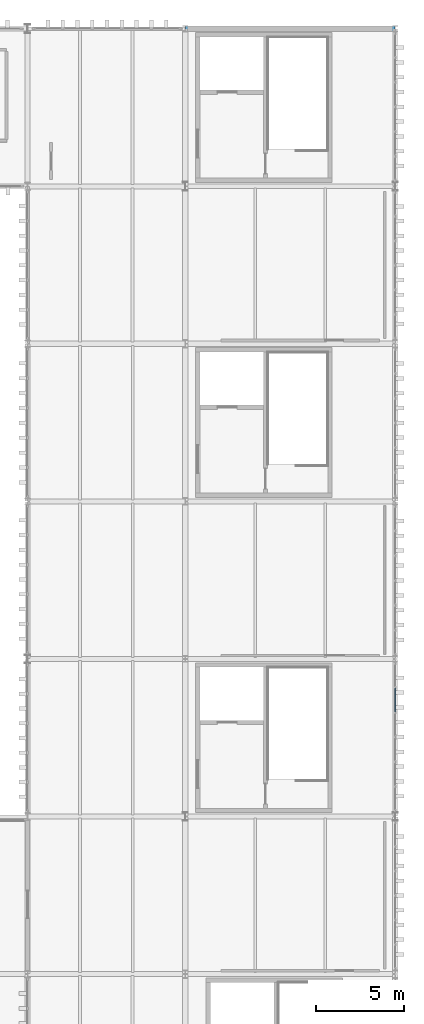
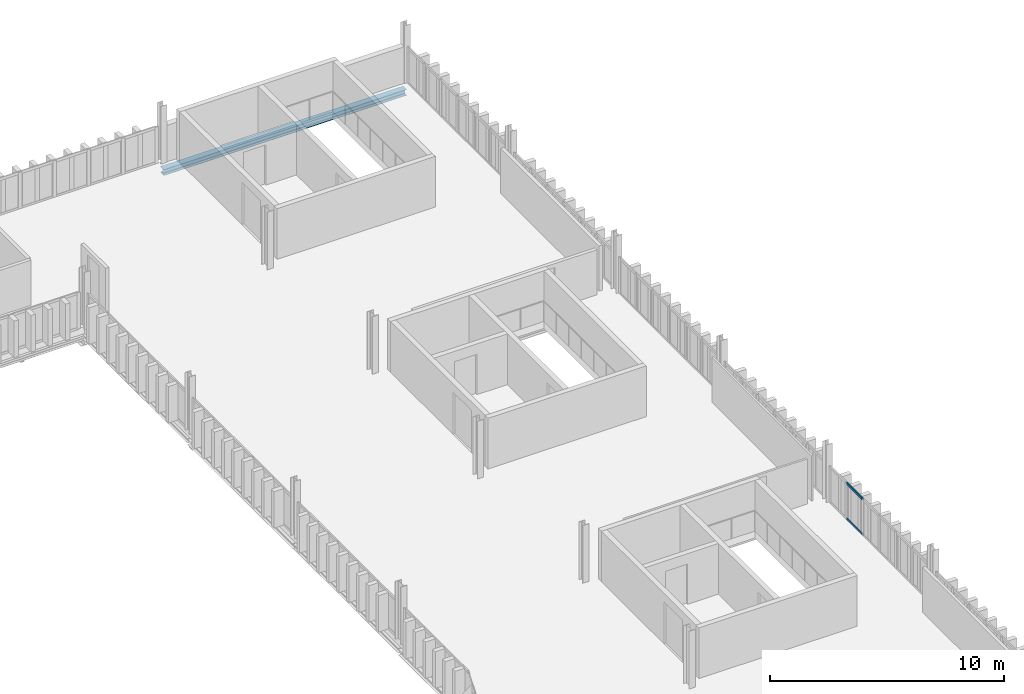
# One storey, part 43 of 58: 2 members, 1 beam, 1 element without a shape of its own.
"""IFC4 building model written with IfcOpenShell, lengths in metres."""

import ifcopenshell
import ifcopenshell.guid

model = None  # the IFC model being written
_history = None  # IfcOwnerHistory: only IFC2X3 demands one
_inside = {}  # id of a spatial element -> (the spatial element, [elements in it])
_under = {}  # id of a project, library or spatial element -> (it, [spatial elements below it])
_declared = {}  # id of a project -> (the project, [libraries it declares])
_typed = {}  # id of a type object -> (the type object, [elements of that type])
_made_of = {}  # id of a material, layer set ... -> (it, [elements and type objects made of it])


def new_model(schema):
    """Start an empty IFC model of exactly this schema.

    Asked for "IFC4X3", IfcOpenShell would pick the latest addendum, in which some entities
    have other attributes; the version numbers below select the first issue.
    IFC2X3 requires an IfcOwnerHistory on every rooted entity: one is made here for all.
    """
    global model, _history
    if schema == "IFC4X3":
        model = ifcopenshell.file(schema_version=(4, 3, 0, 0))
    else:
        model = ifcopenshell.file(schema=schema)
    _inside.clear()
    _under.clear()
    _declared.clear()
    _typed.clear()
    _made_of.clear()
    _history = None
    if model.schema == "IFC2X3":
        org = make("IfcOrganization", Name="unknown")
        user = make(
            "IfcPersonAndOrganization",
            ThePerson=make("IfcPerson", FamilyName="unknown"),
            TheOrganization=org,
        )
        app = make(
            "IfcApplication",
            ApplicationDeveloper=org,
            Version="unknown",
            ApplicationFullName="unknown",
            ApplicationIdentifier="unknown",
        )
        _history = make(
            "IfcOwnerHistory",
            OwningUser=user,
            OwningApplication=app,
            ChangeAction="ADDED",
            CreationDate=0,
        )
    return model


def make(cls, **values):
    """One entity of the class cls with the attributes given. An attribute that is None is left unset."""
    return model.create_entity(
        cls, **{name: value for name, value in values.items() if value is not None}
    )


def rooted(cls, **values):
    """An entity with a GlobalId (a new one), such as an element, a storey or a relation."""
    return make(cls, GlobalId=ifcopenshell.guid.new(), OwnerHistory=_history, **values)


def si_unit(unit_type, name, prefix=None):
    """IfcSIUnit, for example si_unit("LENGTHUNIT", "METRE", prefix="MILLI")."""
    return make("IfcSIUnit", UnitType=unit_type, Prefix=prefix, Name=name)


def assignment(units):
    """IfcUnitAssignment: the units of a project."""
    return None if units is None else make("IfcUnitAssignment", Units=units)


def point(xyz):
    """IfcCartesianPoint."""
    return None if xyz is None else make("IfcCartesianPoint", Coordinates=xyz)


def direction(xyz):
    """IfcDirection."""
    return None if xyz is None else make("IfcDirection", DirectionRatios=xyz)


def frame(location, z_axis=None, x_axis=None):
    """IfcAxis2Placement3D, a coordinate frame: its origin and axes. An axis left out is left unset."""
    return make(
        "IfcAxis2Placement3D",
        Location=point(location),
        Axis=direction(z_axis),
        RefDirection=direction(x_axis),
    )


def frame_2d(location, x_axis=None):
    """IfcAxis2Placement2D, a coordinate frame in the plane: its origin and x axis."""
    return make(
        "IfcAxis2Placement2D", Location=point(location), RefDirection=direction(x_axis)
    )


def origin():
    """The frame at (0, 0, 0) with its axes left unset."""
    return frame((0.0, 0.0, 0.0))


def origin_2d():
    """The frame at (0, 0) in the plane with its x axis left unset."""
    return frame_2d((0.0, 0.0))


def place(relative_to, where):
    """IfcLocalPlacement: puts the frame where relative to a parent placement (None: the world)."""
    return make(
        "IfcLocalPlacement", PlacementRelTo=relative_to, RelativePlacement=where
    )


def context(
    kind, dimensions, precision=None, world=None, true_north=None, identifier=None
):
    """IfcGeometricRepresentationContext, for example the 3D "Model" context."""
    return make(
        "IfcGeometricRepresentationContext",
        ContextIdentifier=identifier,
        ContextType=kind,
        CoordinateSpaceDimension=dimensions,
        Precision=precision,
        WorldCoordinateSystem=world,
        TrueNorth=true_north,
    )


def subcontext(parent, identifier, kind, view, scale=None):
    """IfcGeometricRepresentationSubContext, for example "Body" below "Model"."""
    return make(
        "IfcGeometricRepresentationSubContext",
        ContextIdentifier=identifier,
        ContextType=kind,
        ParentContext=parent,
        TargetScale=scale,
        TargetView=view,
    )


def project(units=None, contexts=None):
    """IfcProject with its units and contexts."""
    return rooted(
        "IfcProject",
        Name="project",
        RepresentationContexts=contexts,
        UnitsInContext=assignment(units),
    )


def spatial(cls, under=None, at=None, **own):
    """A site, building, storey or space (cls), placed at a placement, below another one or the project."""
    s = rooted(cls, ObjectPlacement=at, **own)
    if under is not None:
        _under.setdefault(under.id(), (under, []))[1].append(s)
    return s


def profile(cls, at=None, kind="AREA", **sizes):
    """A parametric profile (cls). Its sizes go by their IFC names, for example OverallWidth=200.0."""
    return make(cls, ProfileType=kind, Position=at, **sizes)


def hollow_rectangle(**sizes):
    """IfcRectangleHollowProfileDef."""
    return profile("IfcRectangleHollowProfileDef", **sizes)


def i_section(**sizes):
    """IfcIShapeProfileDef."""
    return profile("IfcIShapeProfileDef", **sizes)


def extrude(swept, where, along, depth):
    """IfcExtrudedAreaSolid: the profile swept, set in the frame where, extruded along a direction by depth."""
    return make(
        "IfcExtrudedAreaSolid",
        SweptArea=swept,
        Position=where,
        ExtrudedDirection=direction(along),
        Depth=depth,
    )


def shape(context_of_items, identifier, shape_type, items):
    """IfcShapeRepresentation: the items that make up one representation, for example the "Body"."""
    return make(
        "IfcShapeRepresentation",
        ContextOfItems=context_of_items,
        RepresentationIdentifier=identifier,
        RepresentationType=shape_type,
        Items=items,
    )


def material(Name=None, Category=None):
    """IfcMaterial."""
    return make("IfcMaterial", Name=Name, Category=Category)


def layer(
    of_material, thickness, ventilated=None, Name=None, Category=None, Priority=None
):
    """IfcMaterialLayer: one layer of a wall or slab, of a material (None: an air gap)."""
    return make(
        "IfcMaterialLayer",
        Material=of_material,
        LayerThickness=thickness,
        IsVentilated=ventilated,
        Name=Name,
        Category=Category,
        Priority=Priority,
    )


def layer_set(layers, Name=None):
    """IfcMaterialLayerSet."""
    return make("IfcMaterialLayerSet", MaterialLayers=layers, LayerSetName=Name)


def material_profile(
    of_material, cross_section, Name=None, Category=None, Priority=None
):
    """IfcMaterialProfile: a cross section and its material."""
    return make(
        "IfcMaterialProfile",
        Name=Name,
        Material=of_material,
        Profile=cross_section,
        Priority=Priority,
        Category=Category,
    )


def profile_set(profiles, Name=None, composite=None):
    """IfcMaterialProfileSet."""
    return make(
        "IfcMaterialProfileSet",
        Name=Name,
        MaterialProfiles=profiles,
        CompositeProfile=composite,
    )


def made_of(thing, what):
    """Note that an element or type object is made of a material, layer set ...; save() writes the relation."""
    if what is not None:
        _made_of.setdefault(what.id(), (what, []))[1].append(thing)
    return thing


def type_object(cls, material=None, **own):
    """A type object (cls), such as IfcWallType, which elements share."""
    return made_of(rooted(cls, **own), material)


def element(
    cls,
    number,
    at=None,
    inside=None,
    cuts=None,
    type_object=None,
    material=None,
    context=None,
    identifier="Body",
    shape_type=None,
    held_by="IfcProductDefinitionShape",
    body=None,
    shapes=None,
    **own,
):
    """One element of the class cls, such as IfcWall. Its Tag is "e" and its number.

    at: its placement. inside: the storey or other place that contains it. cuts: it is an
    opening in that element (IfcRelVoidsElement). A single representation is given by context,
    identifier, shape_type and body (its items); several are given by shapes. held_by: the class
    of the entity that holds the representations. save() writes the other relations.
    """
    e = rooted(cls, Tag="e%d" % number, ObjectPlacement=at, **own)
    if body is not None:
        shapes = [shape(context, identifier, shape_type, body)]
    if shapes is not None:
        e.Representation = make(held_by, Representations=shapes)
    if inside is not None:
        _inside.setdefault(inside.id(), (inside, []))[1].append(e)
    if cuts is not None:
        rooted(
            "IfcRelVoidsElement", RelatingBuildingElement=cuts, RelatedOpeningElement=e
        )
    if type_object is not None:
        _typed.setdefault(type_object.id(), (type_object, []))[1].append(e)
    return made_of(e, material)


def aggregate(whole, parts):
    """IfcRelAggregates: a whole, such as a stair, and the parts it consists of."""
    return rooted("IfcRelAggregates", RelatingObject=whole, RelatedObjects=parts)


def save(model, path):
    """Write the relations noted so far, then the file.

    IfcRelAggregates (storeys below a building ...), IfcRelContainedInSpatialStructure (elements
    in a storey), IfcRelDefinesByType, IfcRelAssociatesMaterial and IfcRelDeclares: one each for
    every whole, place, type object, material and project.
    """
    for whole, parts in _under.values():
        aggregate(whole, parts)
    for where, things in _inside.values():
        rooted(
            "IfcRelContainedInSpatialStructure",
            RelatedElements=things,
            RelatingStructure=where,
        )
    for kind, things in _typed.values():
        rooted("IfcRelDefinesByType", RelatedObjects=things, RelatingType=kind)
    for what, things in _made_of.values():
        rooted("IfcRelAssociatesMaterial", RelatedObjects=things, RelatingMaterial=what)
    for by, libraries in _declared.values():
        rooted("IfcRelDeclares", RelatingContext=by, RelatedDefinitions=libraries)
    model.write(path)


model = new_model("IFC4")

# Units and contexts
model_context = context("Model", 3, precision=1e-05, world=origin(), true_north=direction((0.0, 1.0)))
body_context = subcontext(model_context, "Body", "Model", "MODEL_VIEW")
ifc_project = project(units=[si_unit("LENGTHUNIT", "METRE"), si_unit("AREAUNIT", "SQUARE_METRE"), si_unit("VOLUMEUNIT", "CUBIC_METRE"), si_unit("PLANEANGLEUNIT", "RADIAN"), si_unit("MASSUNIT", "GRAM", prefix="KILO")], contexts=[model_context])

# Site, building, storey
site_placement = place(None, origin())
site = spatial("IfcSite", under=ifc_project, at=site_placement, CompositionType="ELEMENT")
building_placement = place(site_placement, origin())
building = spatial("IfcBuilding", under=site, at=building_placement, Name="Barlavento Convention Centre", CompositionType="ELEMENT")
storey_placement = place(building_placement, frame((0.0, 0.0, 26.800048828125)))
storey = spatial("IfcBuildingStorey", under=building, at=storey_placement, Name="L05", CompositionType="ELEMENT", Elevation=26.800048828125)

# Curtain wall, members
ifc_material_1 = material(Name="Powder-coated aluminium and Low-E glass", Category="aluminium")
ifc_layer = layer(ifc_material_1, 0.18994140625)
ifc_layer_set = layer_set([ifc_layer], Name="ARC-CW-CONF-L05")
curtain_wall_type = type_object("IfcCurtainWallType", Name="ARC-CW-CONF-L05", PredefinedType="NOTDEFINED", material=ifc_layer_set)
curtain_wall_placement = place(storey_placement, origin())
curtain_wall = element("IfcCurtainWall", 1, at=curtain_wall_placement, inside=storey, type_object=curtain_wall_type, Name="L05 unitised curtain wall CW10", PredefinedType="NOTDEFINED")
ifc_material_2 = material(Name="Powder-coated aluminium", Category="aluminium")
ifc_material_profile_1 = material_profile(ifc_material_2, hollow_rectangle(XDim=0.06005859375, YDim=0.1201171875, WallThickness=0.00390625, at=origin_2d()), Name="AL-TRAN 60x120x4")
ifc_profile_set_1 = profile_set([ifc_material_profile_1], Name="Powder-coated aluminium")
member_type = type_object("IfcMemberType", Name="ARC-CWT-60X120", PredefinedType="USERDEFINED", material=ifc_profile_set_1)
member_1_placement = place(storey_placement, frame((192.0, 59.97998046875, 0.030029296875), z_axis=(0.0, 1.0, 0.0), x_axis=(-1.0, 0.0, 0.0)))
member_1 = element("IfcMember", 2, at=member_1_placement, type_object=member_type, Name="CW10 transom 5.1", ObjectType="TRANSOM", PredefinedType="USERDEFINED", context=body_context, shape_type="SweptSolid", body=[
    extrude(hollow_rectangle(XDim=0.06005859375, YDim=0.1201171875, WallThickness=0.00390625, at=origin_2d()), origin(), (0.0, 0.0, 1.0), 1.35009765625),
])
member_2_placement = place(storey_placement, frame((192.0, 59.97998046875, 1.869873046875), z_axis=(0.0, 1.0, 0.0), x_axis=(-1.0, 0.0, 0.0)))
member_2 = element("IfcMember", 3, at=member_2_placement, type_object=member_type, Name="CW10 transom 5.2", ObjectType="TRANSOM", PredefinedType="USERDEFINED", context=body_context, shape_type="SweptSolid", body=[
    extrude(hollow_rectangle(XDim=0.06005859375, YDim=0.1201171875, WallThickness=0.00390625, at=origin_2d()), origin(), (0.0, 0.0, 1.0), 1.35009765625),
])
aggregate(curtain_wall, [member_1, member_2])

# Beam
ifc_material_3 = material(Name="Steel S355", Category="steel")
ifc_material_profile_2 = material_profile(ifc_material_3, i_section(OverallWidth=0.300048828125, OverallDepth=0.31005859375, WebThickness=0.009033203125, FlangeThickness=0.015380859375, FilletRadius=0.027099609375, at=origin_2d()), Name="HEA 320")
ifc_profile_set_2 = profile_set([ifc_material_profile_2], Name="Steel S355")
beam_type = type_object("IfcBeamType", Name="STR-BM-SPN-HEA320", PredefinedType="SPANDREL", material=ifc_profile_set_2)
beam_placement = place(storey_placement, frame((180.02001953125, 99.0, -0.51513671875), z_axis=(1.0, 0.0, 0.0), x_axis=(0.0, 1.0, 0.0)))
element("IfcBeam", 4, at=beam_placement, inside=storey, type_object=beam_type, Name="L05 primary girder SP01", PredefinedType="SPANDREL", context=body_context, shape_type="SweptSolid", body=[
    extrude(i_section(OverallWidth=0.300048828125, OverallDepth=0.31005859375, WebThickness=0.009033203125, FlangeThickness=0.015380859375, FilletRadius=0.027099609375, at=origin_2d()), origin(), (0.0, 0.0, 1.0), 11.9599609375),
])

save(model, "model.ifc")
